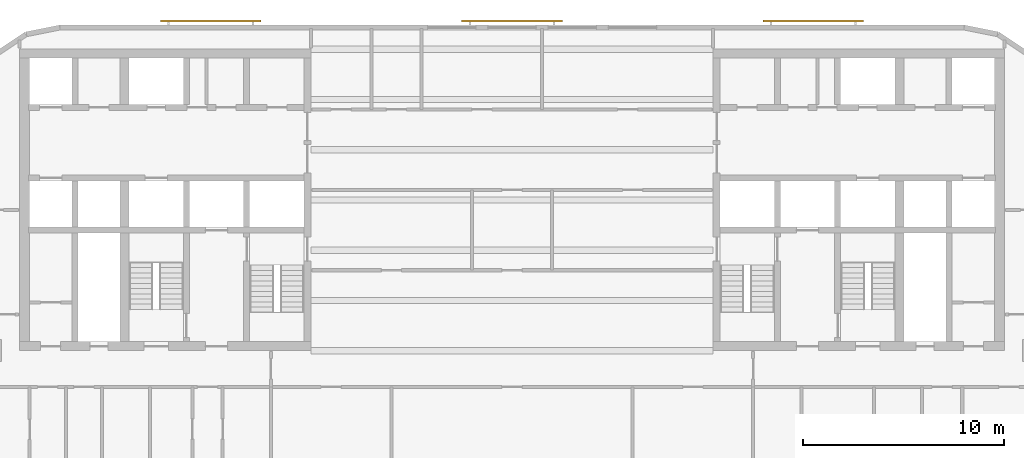
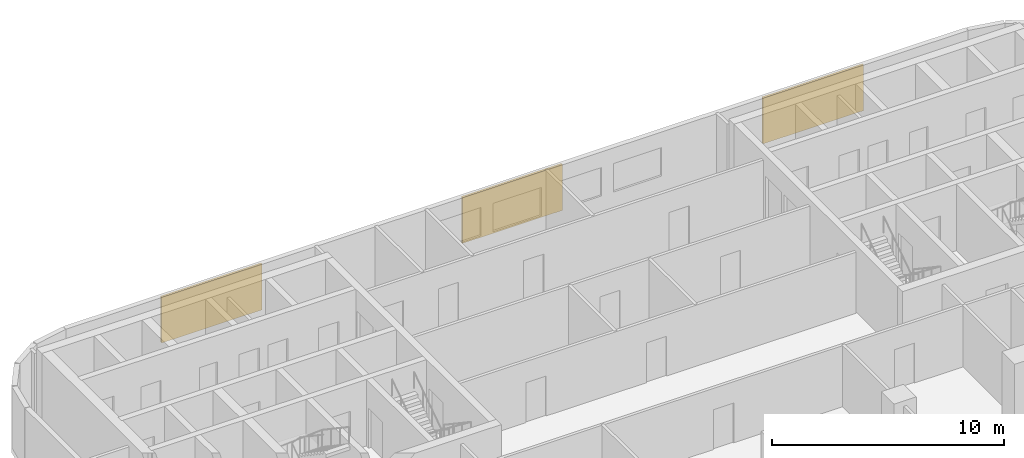
# One storey, part 10 of 11: 3 shading devices.
"""IFC4 building model written with IfcOpenShell, lengths in metres."""

import ifcopenshell
import ifcopenshell.guid

model = None  # the IFC model being written
_history = None  # IfcOwnerHistory: only IFC2X3 demands one
_inside = {}  # id of a spatial element -> (the spatial element, [elements in it])
_under = {}  # id of a project, library or spatial element -> (it, [spatial elements below it])
_declared = {}  # id of a project -> (the project, [libraries it declares])
_typed = {}  # id of a type object -> (the type object, [elements of that type])
_made_of = {}  # id of a material, layer set ... -> (it, [elements and type objects made of it])


def new_model(schema):
    """Start an empty IFC model of exactly this schema.

    Asked for "IFC4X3", IfcOpenShell would pick the latest addendum, in which some entities
    have other attributes; the version numbers below select the first issue.
    IFC2X3 requires an IfcOwnerHistory on every rooted entity: one is made here for all.
    """
    global model, _history
    if schema == "IFC4X3":
        model = ifcopenshell.file(schema_version=(4, 3, 0, 0))
    else:
        model = ifcopenshell.file(schema=schema)
    _inside.clear()
    _under.clear()
    _declared.clear()
    _typed.clear()
    _made_of.clear()
    _history = None
    if model.schema == "IFC2X3":
        org = make("IfcOrganization", Name="unknown")
        user = make(
            "IfcPersonAndOrganization",
            ThePerson=make("IfcPerson", FamilyName="unknown"),
            TheOrganization=org,
        )
        app = make(
            "IfcApplication",
            ApplicationDeveloper=org,
            Version="unknown",
            ApplicationFullName="unknown",
            ApplicationIdentifier="unknown",
        )
        _history = make(
            "IfcOwnerHistory",
            OwningUser=user,
            OwningApplication=app,
            ChangeAction="ADDED",
            CreationDate=0,
        )
    return model


def make(cls, **values):
    """One entity of the class cls with the attributes given. An attribute that is None is left unset."""
    return model.create_entity(
        cls, **{name: value for name, value in values.items() if value is not None}
    )


def rooted(cls, **values):
    """An entity with a GlobalId (a new one), such as an element, a storey or a relation."""
    return make(cls, GlobalId=ifcopenshell.guid.new(), OwnerHistory=_history, **values)


def si_unit(unit_type, name, prefix=None):
    """IfcSIUnit, for example si_unit("LENGTHUNIT", "METRE", prefix="MILLI")."""
    return make("IfcSIUnit", UnitType=unit_type, Prefix=prefix, Name=name)


def assignment(units):
    """IfcUnitAssignment: the units of a project."""
    return None if units is None else make("IfcUnitAssignment", Units=units)


def point(xyz):
    """IfcCartesianPoint."""
    return None if xyz is None else make("IfcCartesianPoint", Coordinates=xyz)


def direction(xyz):
    """IfcDirection."""
    return None if xyz is None else make("IfcDirection", DirectionRatios=xyz)


def frame(location, z_axis=None, x_axis=None):
    """IfcAxis2Placement3D, a coordinate frame: its origin and axes. An axis left out is left unset."""
    return make(
        "IfcAxis2Placement3D",
        Location=point(location),
        Axis=direction(z_axis),
        RefDirection=direction(x_axis),
    )


def frame_2d(location, x_axis=None):
    """IfcAxis2Placement2D, a coordinate frame in the plane: its origin and x axis."""
    return make(
        "IfcAxis2Placement2D", Location=point(location), RefDirection=direction(x_axis)
    )


def origin():
    """The frame at (0, 0, 0) with its axes left unset."""
    return frame((0.0, 0.0, 0.0))


def origin_2d():
    """The frame at (0, 0) in the plane with its x axis left unset."""
    return frame_2d((0.0, 0.0))


def place(relative_to, where):
    """IfcLocalPlacement: puts the frame where relative to a parent placement (None: the world)."""
    return make(
        "IfcLocalPlacement", PlacementRelTo=relative_to, RelativePlacement=where
    )


def context(
    kind, dimensions, precision=None, world=None, true_north=None, identifier=None
):
    """IfcGeometricRepresentationContext, for example the 3D "Model" context."""
    return make(
        "IfcGeometricRepresentationContext",
        ContextIdentifier=identifier,
        ContextType=kind,
        CoordinateSpaceDimension=dimensions,
        Precision=precision,
        WorldCoordinateSystem=world,
        TrueNorth=true_north,
    )


def subcontext(parent, identifier, kind, view, scale=None):
    """IfcGeometricRepresentationSubContext, for example "Body" below "Model"."""
    return make(
        "IfcGeometricRepresentationSubContext",
        ContextIdentifier=identifier,
        ContextType=kind,
        ParentContext=parent,
        TargetScale=scale,
        TargetView=view,
    )


def project(units=None, contexts=None):
    """IfcProject with its units and contexts."""
    return rooted(
        "IfcProject",
        Name="project",
        RepresentationContexts=contexts,
        UnitsInContext=assignment(units),
    )


def spatial(cls, under=None, at=None, **own):
    """A site, building, storey or space (cls), placed at a placement, below another one or the project."""
    s = rooted(cls, ObjectPlacement=at, **own)
    if under is not None:
        _under.setdefault(under.id(), (under, []))[1].append(s)
    return s


def profile(cls, at=None, kind="AREA", **sizes):
    """A parametric profile (cls). Its sizes go by their IFC names, for example OverallWidth=200.0."""
    return make(cls, ProfileType=kind, Position=at, **sizes)


def rectangle(**sizes):
    """IfcRectangleProfileDef."""
    return profile("IfcRectangleProfileDef", **sizes)


def extrude(swept, where, along, depth):
    """IfcExtrudedAreaSolid: the profile swept, set in the frame where, extruded along a direction by depth."""
    return make(
        "IfcExtrudedAreaSolid",
        SweptArea=swept,
        Position=where,
        ExtrudedDirection=direction(along),
        Depth=depth,
    )


def shape(context_of_items, identifier, shape_type, items):
    """IfcShapeRepresentation: the items that make up one representation, for example the "Body"."""
    return make(
        "IfcShapeRepresentation",
        ContextOfItems=context_of_items,
        RepresentationIdentifier=identifier,
        RepresentationType=shape_type,
        Items=items,
    )


def material(Name=None, Category=None):
    """IfcMaterial."""
    return make("IfcMaterial", Name=Name, Category=Category)


def layer(
    of_material, thickness, ventilated=None, Name=None, Category=None, Priority=None
):
    """IfcMaterialLayer: one layer of a wall or slab, of a material (None: an air gap)."""
    return make(
        "IfcMaterialLayer",
        Material=of_material,
        LayerThickness=thickness,
        IsVentilated=ventilated,
        Name=Name,
        Category=Category,
        Priority=Priority,
    )


def layer_set(layers, Name=None):
    """IfcMaterialLayerSet."""
    return make("IfcMaterialLayerSet", MaterialLayers=layers, LayerSetName=Name)


def made_of(thing, what):
    """Note that an element or type object is made of a material, layer set ...; save() writes the relation."""
    if what is not None:
        _made_of.setdefault(what.id(), (what, []))[1].append(thing)
    return thing


def type_object(cls, material=None, **own):
    """A type object (cls), such as IfcWallType, which elements share."""
    return made_of(rooted(cls, **own), material)


def element(
    cls,
    number,
    at=None,
    inside=None,
    cuts=None,
    type_object=None,
    material=None,
    context=None,
    identifier="Body",
    shape_type=None,
    held_by="IfcProductDefinitionShape",
    body=None,
    shapes=None,
    **own,
):
    """One element of the class cls, such as IfcWall. Its Tag is "e" and its number.

    at: its placement. inside: the storey or other place that contains it. cuts: it is an
    opening in that element (IfcRelVoidsElement). A single representation is given by context,
    identifier, shape_type and body (its items); several are given by shapes. held_by: the class
    of the entity that holds the representations. save() writes the other relations.
    """
    e = rooted(cls, Tag="e%d" % number, ObjectPlacement=at, **own)
    if body is not None:
        shapes = [shape(context, identifier, shape_type, body)]
    if shapes is not None:
        e.Representation = make(held_by, Representations=shapes)
    if inside is not None:
        _inside.setdefault(inside.id(), (inside, []))[1].append(e)
    if cuts is not None:
        rooted(
            "IfcRelVoidsElement", RelatingBuildingElement=cuts, RelatedOpeningElement=e
        )
    if type_object is not None:
        _typed.setdefault(type_object.id(), (type_object, []))[1].append(e)
    return made_of(e, material)


def aggregate(whole, parts):
    """IfcRelAggregates: a whole, such as a stair, and the parts it consists of."""
    return rooted("IfcRelAggregates", RelatingObject=whole, RelatedObjects=parts)


def save(model, path):
    """Write the relations noted so far, then the file.

    IfcRelAggregates (storeys below a building ...), IfcRelContainedInSpatialStructure (elements
    in a storey), IfcRelDefinesByType, IfcRelAssociatesMaterial and IfcRelDeclares: one each for
    every whole, place, type object, material and project.
    """
    for whole, parts in _under.values():
        aggregate(whole, parts)
    for where, things in _inside.values():
        rooted(
            "IfcRelContainedInSpatialStructure",
            RelatedElements=things,
            RelatingStructure=where,
        )
    for kind, things in _typed.values():
        rooted("IfcRelDefinesByType", RelatedObjects=things, RelatingType=kind)
    for what, things in _made_of.values():
        rooted("IfcRelAssociatesMaterial", RelatedObjects=things, RelatingMaterial=what)
    for by, libraries in _declared.values():
        rooted("IfcRelDeclares", RelatingContext=by, RelatedDefinitions=libraries)
    model.write(path)


model = new_model("IFC4")

# Units and contexts
model_context = context("Model", 3, precision=1e-05, world=origin(), true_north=direction((0.0, 1.0)))
body_context = subcontext(model_context, "Body", "Model", "MODEL_VIEW")
ifc_project = project(units=[si_unit("LENGTHUNIT", "METRE"), si_unit("AREAUNIT", "SQUARE_METRE"), si_unit("VOLUMEUNIT", "CUBIC_METRE"), si_unit("PLANEANGLEUNIT", "RADIAN"), si_unit("MASSUNIT", "GRAM", prefix="KILO")], contexts=[model_context])

# Site, building, storey
site_placement = place(None, origin())
site = spatial("IfcSite", under=ifc_project, at=site_placement, CompositionType="ELEMENT")
building_placement = place(site_placement, origin())
building = spatial("IfcBuilding", under=site, at=building_placement, Name="Torana Hotel and Residences", CompositionType="ELEMENT")
storey_placement = place(building_placement, frame((0.0, 0.0, 218.60009765625)))
storey = spatial("IfcBuildingStorey", under=building, at=storey_placement, Name="L57", CompositionType="ELEMENT", Elevation=218.60009765625)

# Shading devices
ifc_material = material(Name="Concrete C40/50 precast", Category="concrete")
ifc_layer = layer(ifc_material, 0.10009765625)
ifc_layer_set = layer_set([ifc_layer], Name="SC1 PERFORATED BLOCK SCREEN PANEL 100")
shading_device_type = type_object("IfcShadingDeviceType", Name="SC1 PERFORATED BLOCK SCREEN PANEL 100", PredefinedType="USERDEFINED", material=ifc_layer_set)
for number, where, z_axis, x_axis, name in (
    (1, (14.983642578125, 1.39990234375, 0.5), (0.0, 0.0, 1.0), (-1.0, 0.0, 0.0), "Perforated block screen L57"),
    (2, (0.0, 1.39990234375, 0.5), (0.0, 0.0, 1.0), (-1.0, 0.0, 0.0), "Perforated block screen L57"),
    (3, (-14.983642578125, 1.39990234375, 0.5), (0.0, 0.0, 1.0), (-1.0, 0.0, 0.0), "Perforated block screen L57"),
):
    element("IfcShadingDevice", number, at=place(storey_placement, frame(where, z_axis=z_axis, x_axis=x_axis)), inside=storey, type_object=shading_device_type, Name=name, ObjectType="SCREEN", PredefinedType="USERDEFINED", context=body_context, shape_type="SweptSolid", body=[
        extrude(rectangle(XDim=5.0, YDim=0.10009765625, at=origin_2d()), origin(), (0.0, 0.0, 1.0), 2.419921875),
    ])

save(model, "model.ifc")
